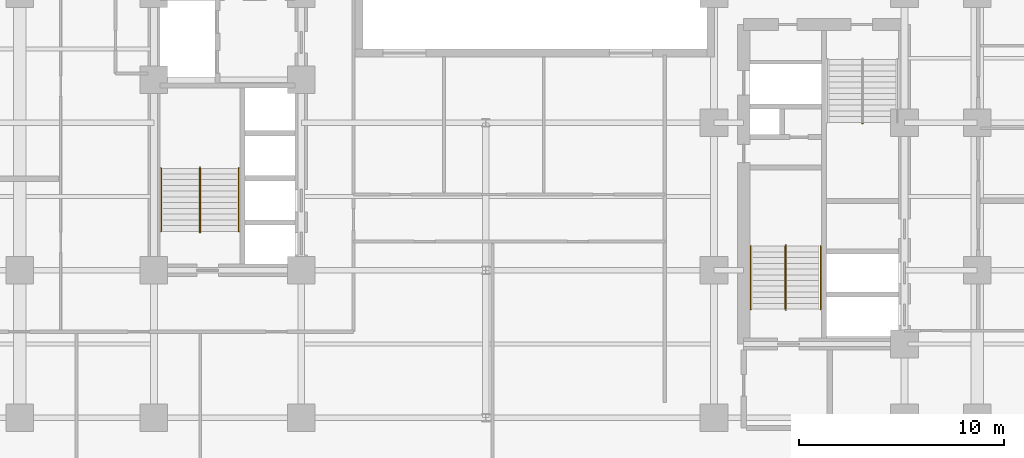
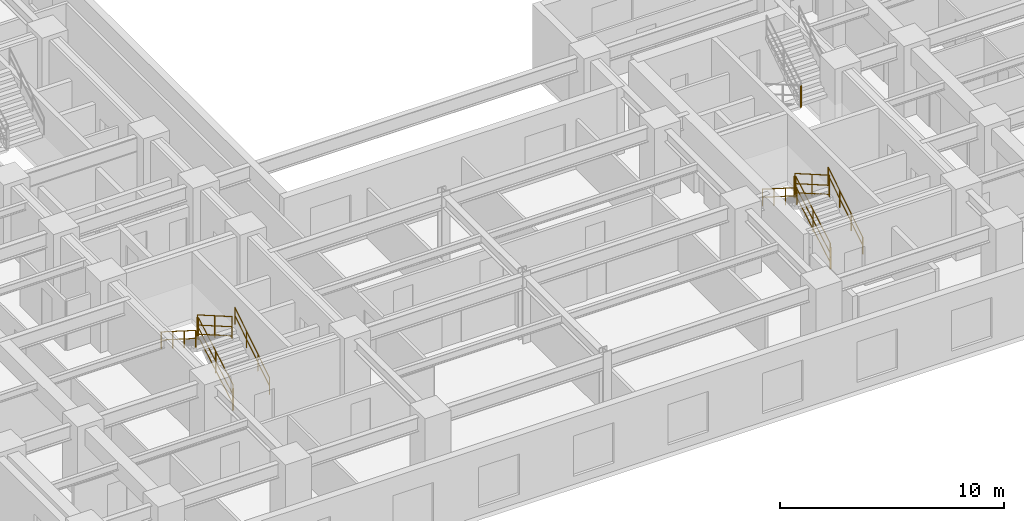
# One storey, part 8 of 10: 13 railings.
"""IFC4 building model written with IfcOpenShell, lengths in metres."""

from ifc_helpers import new_model, entity, si_unit, converted_unit, direction, frame, origin_with_axes, origin_2d_with_axis, place, context, subcontext, project, spatial, rectangle, circle, extrude, material, type_object, element, save


model = new_model("IFC4")

# Units and contexts
model_context = context("Model", 3, precision=1e-05, world=origin_with_axes(), true_north=direction((0.0, 1.0)))
body_context = subcontext(model_context, "Body", "Model", "MODEL_VIEW")
ifc_project = project(units=[si_unit("LENGTHUNIT", "METRE"), si_unit("AREAUNIT", "SQUARE_METRE"), si_unit("VOLUMEUNIT", "CUBIC_METRE"), converted_unit("PLANEANGLEUNIT", "DEGREE", entity("IfcPlaneAngleMeasure", 0.017453292519943295), si_unit("PLANEANGLEUNIT", "RADIAN"), dimensions=[0, 0, 0, 0, 0, 0, 0]), si_unit("MASSUNIT", "GRAM", prefix="KILO"), si_unit("THERMODYNAMICTEMPERATUREUNIT", "KELVIN")], contexts=[model_context])

# Site, building, storey
site_placement = place(None, origin_with_axes())
site = spatial("IfcSite", under=ifc_project, at=site_placement, CompositionType="ELEMENT")
building_placement = place(site_placement, origin_with_axes())
building = spatial("IfcBuilding", under=site, at=building_placement, Name="Varnlund Millrace Tower", CompositionType="ELEMENT")
storey_placement = place(building_placement, frame((0.0, 0.0, 48.3), z_axis=(0.0, 0.0, 1.0), x_axis=(1.0, 0.0, 0.0)))
storey = spatial("IfcBuildingStorey", under=building, at=storey_placement, Name="L11", CompositionType="ELEMENT", Elevation=48.3)

# Railings
ifc_material_1 = material(Name="Painted steel stair well balustrade guard", Category="steel")
railing_type_1 = type_object("IfcRailingType", Name="Type-StairGuard-1150", PredefinedType="GUARDRAIL", material=ifc_material_1)
railing_1_placement = place(storey_placement, frame((0.0, 0.0, -48.3), z_axis=(0.0, 0.0, 1.0), x_axis=(1.0, 0.0, 0.0)))
element("IfcRailing", 1, at=railing_1_placement, inside=storey, type_object=railing_type_1, Name="Type-StairGuard-1150", PredefinedType="GUARDRAIL", context=body_context, shape_type="SweptSolid", body=[
    extrude(circle(Radius=0.024, at=origin_2d_with_axis()), frame((13.675, 12.7, 49.627273), z_axis=(0.0, 0.866696, 0.498836), x_axis=(-1.0, 0.0, 0.0)), (0.0, 0.0, 1.0), 3.553725),
    extrude(circle(Radius=0.024, at=origin_2d_with_axis()), frame((13.675, 12.7, 48.577273), z_axis=(0.0, 0.866696, 0.498836), x_axis=(-1.0, 0.0, 0.0)), (0.0, 0.0, 1.0), 3.553725),
    extrude(circle(Radius=0.024, at=origin_2d_with_axis()), frame((13.675, 12.7, 49.075273), z_axis=(0.0, 0.866696, 0.498836), x_axis=(-1.0, 0.0, 0.0)), (0.0, 0.0, 1.0), 3.553725),
    extrude(rectangle(XDim=0.04, YDim=0.04, at=origin_2d_with_axis()), frame((13.675, 12.7, 48.437273), z_axis=(0.0, 0.0, 1.0), x_axis=(1.0, 0.0, 0.0)), (0.0, 0.0, 1.0), 1.19),
    extrude(rectangle(XDim=0.04, YDim=0.04, at=origin_2d_with_axis()), frame((13.675, 14.24, 49.323636), z_axis=(0.0, 0.0, 1.0), x_axis=(1.0, 0.0, 0.0)), (0.0, 0.0, 1.0), 1.19),
    extrude(rectangle(XDim=0.04, YDim=0.04, at=origin_2d_with_axis()), frame((13.675, 15.78, 50.21), z_axis=(0.0, 0.0, 1.0), x_axis=(1.0, 0.0, 0.0)), (0.0, 0.0, 1.0), 1.19),
])
railing_2_placement = place(storey_placement, frame((0.0, 0.0, -48.3), z_axis=(0.0, 0.0, 1.0), x_axis=(1.0, 0.0, 0.0)))
element("IfcRailing", 2, at=railing_2_placement, inside=storey, type_object=railing_type_1, Name="Type-StairGuard-1150", PredefinedType="GUARDRAIL", context=body_context, shape_type="SweptSolid", body=[
    extrude(circle(Radius=0.024, at=origin_2d_with_axis()), frame((13.625, 15.83, 51.4), z_axis=(1.0, 0.0, 0.0), x_axis=(0.0, 1.0, 0.0)), (0.0, 0.0, 1.0), 0.05),
    extrude(circle(Radius=0.024, at=origin_2d_with_axis()), frame((13.625, 15.83, 50.35), z_axis=(1.0, 0.0, 0.0), x_axis=(0.0, 1.0, 0.0)), (0.0, 0.0, 1.0), 0.05),
    extrude(circle(Radius=0.024, at=origin_2d_with_axis()), frame((13.625, 15.83, 50.848), z_axis=(1.0, 0.0, 0.0), x_axis=(0.0, 1.0, 0.0)), (0.0, 0.0, 1.0), 0.05),
    extrude(rectangle(XDim=0.04, YDim=0.04, at=origin_2d_with_axis()), frame((13.625, 15.83, 50.21), z_axis=(0.0, 0.0, 1.0), x_axis=(1.0, 0.0, 0.0)), (0.0, 0.0, 1.0), 1.19),
    extrude(rectangle(XDim=0.04, YDim=0.04, at=origin_2d_with_axis()), frame((13.675, 15.83, 50.21), z_axis=(0.0, 0.0, 1.0), x_axis=(1.0, 0.0, 0.0)), (0.0, 0.0, 1.0), 1.19),
])
railing_3_placement = place(storey_placement, frame((0.0, 0.0, -48.3), z_axis=(0.0, 0.0, 1.0), x_axis=(1.0, 0.0, 0.0)))
element("IfcRailing", 3, at=railing_3_placement, inside=storey, type_object=railing_type_1, Name="Type-StairGuard-1150", PredefinedType="GUARDRAIL", context=body_context, shape_type="SweptSolid", body=[
    extrude(circle(Radius=0.024, at=origin_2d_with_axis()), frame((13.625, 15.78, 51.577273), z_axis=(0.0, -0.866696, 0.498836), x_axis=(1.0, 0.0, 0.0)), (0.0, 0.0, 1.0), 3.553725),
    extrude(circle(Radius=0.024, at=origin_2d_with_axis()), frame((13.625, 15.78, 50.527273), z_axis=(0.0, -0.866696, 0.498836), x_axis=(1.0, 0.0, 0.0)), (0.0, 0.0, 1.0), 3.553725),
    extrude(circle(Radius=0.024, at=origin_2d_with_axis()), frame((13.625, 15.78, 51.025273), z_axis=(0.0, -0.866696, 0.498836), x_axis=(1.0, 0.0, 0.0)), (0.0, 0.0, 1.0), 3.553725),
    extrude(rectangle(XDim=0.04, YDim=0.04, at=origin_2d_with_axis()), frame((13.625, 15.78, 50.387273), z_axis=(0.0, 0.0, 1.0), x_axis=(1.0, 0.0, 0.0)), (0.0, 0.0, 1.0), 1.19),
    extrude(rectangle(XDim=0.04, YDim=0.04, at=origin_2d_with_axis()), frame((13.625, 14.24, 51.273637), z_axis=(0.0, 0.0, 1.0), x_axis=(1.0, 0.0, 0.0)), (0.0, 0.0, 1.0), 1.19),
    extrude(rectangle(XDim=0.04, YDim=0.04, at=origin_2d_with_axis()), frame((13.625, 12.7, 52.16), z_axis=(0.0, 0.0, 1.0), x_axis=(1.0, 0.0, 0.0)), (0.0, 0.0, 1.0), 1.19),
])
railing_4_placement = place(storey_placement, frame((0.0, 0.0, -48.3), z_axis=(0.0, 0.0, 1.0), x_axis=(1.0, 0.0, 0.0)))
element("IfcRailing", 4, at=railing_4_placement, inside=storey, type_object=railing_type_1, Name="Type-StairGuard-1150", PredefinedType="GUARDRAIL", context=body_context, shape_type="SweptSolid", body=[
    extrude(circle(Radius=0.024, at=origin_2d_with_axis()), frame((13.625, 12.65, 49.45), z_axis=(1.0, 0.0, 0.0), x_axis=(0.0, 1.0, 0.0)), (0.0, 0.0, 1.0), 0.05),
    extrude(circle(Radius=0.024, at=origin_2d_with_axis()), frame((13.625, 12.65, 48.4), z_axis=(1.0, 0.0, 0.0), x_axis=(0.0, 1.0, 0.0)), (0.0, 0.0, 1.0), 0.05),
    extrude(circle(Radius=0.024, at=origin_2d_with_axis()), frame((13.625, 12.65, 48.898), z_axis=(1.0, 0.0, 0.0), x_axis=(0.0, 1.0, 0.0)), (0.0, 0.0, 1.0), 0.05),
    extrude(rectangle(XDim=0.04, YDim=0.04, at=origin_2d_with_axis()), frame((13.625, 12.65, 48.26), z_axis=(0.0, 0.0, 1.0), x_axis=(1.0, 0.0, 0.0)), (0.0, 0.0, 1.0), 1.19),
    extrude(rectangle(XDim=0.04, YDim=0.04, at=origin_2d_with_axis()), frame((13.675, 12.65, 48.26), z_axis=(0.0, 0.0, 1.0), x_axis=(1.0, 0.0, 0.0)), (0.0, 0.0, 1.0), 1.19),
])
railing_5_placement = place(storey_placement, frame((0.0, 0.0, -48.3), z_axis=(0.0, 0.0, 1.0), x_axis=(1.0, 0.0, 0.0)))
element("IfcRailing", 5, at=railing_5_placement, inside=storey, type_object=railing_type_1, Name="Type-StairGuard-1150", PredefinedType="GUARDRAIL", context=body_context, shape_type="SweptSolid", body=[
    extrude(circle(Radius=0.024, at=origin_2d_with_axis()), frame((42.275, 8.9, 49.627273), z_axis=(0.0, 0.866696, 0.498836), x_axis=(-1.0, 0.0, 0.0)), (0.0, 0.0, 1.0), 3.553725),
    extrude(circle(Radius=0.024, at=origin_2d_with_axis()), frame((42.275, 8.9, 48.577273), z_axis=(0.0, 0.866696, 0.498836), x_axis=(-1.0, 0.0, 0.0)), (0.0, 0.0, 1.0), 3.553725),
    extrude(circle(Radius=0.024, at=origin_2d_with_axis()), frame((42.275, 8.9, 49.075273), z_axis=(0.0, 0.866696, 0.498836), x_axis=(-1.0, 0.0, 0.0)), (0.0, 0.0, 1.0), 3.553725),
    extrude(rectangle(XDim=0.04, YDim=0.04, at=origin_2d_with_axis()), frame((42.275, 8.9, 48.437273), z_axis=(0.0, 0.0, 1.0), x_axis=(1.0, 0.0, 0.0)), (0.0, 0.0, 1.0), 1.19),
    extrude(rectangle(XDim=0.04, YDim=0.04, at=origin_2d_with_axis()), frame((42.275, 10.44, 49.323636), z_axis=(0.0, 0.0, 1.0), x_axis=(1.0, 0.0, 0.0)), (0.0, 0.0, 1.0), 1.19),
    extrude(rectangle(XDim=0.04, YDim=0.04, at=origin_2d_with_axis()), frame((42.275, 11.98, 50.21), z_axis=(0.0, 0.0, 1.0), x_axis=(1.0, 0.0, 0.0)), (0.0, 0.0, 1.0), 1.19),
])
railing_6_placement = place(storey_placement, frame((0.0, 0.0, -48.3), z_axis=(0.0, 0.0, 1.0), x_axis=(1.0, 0.0, 0.0)))
element("IfcRailing", 6, at=railing_6_placement, inside=storey, type_object=railing_type_1, Name="Type-StairGuard-1150", PredefinedType="GUARDRAIL", context=body_context, shape_type="SweptSolid", body=[
    extrude(circle(Radius=0.024, at=origin_2d_with_axis()), frame((42.225, 12.03, 51.4), z_axis=(1.0, 0.0, 0.0), x_axis=(0.0, 1.0, 0.0)), (0.0, 0.0, 1.0), 0.05),
    extrude(circle(Radius=0.024, at=origin_2d_with_axis()), frame((42.225, 12.03, 50.35), z_axis=(1.0, 0.0, 0.0), x_axis=(0.0, 1.0, 0.0)), (0.0, 0.0, 1.0), 0.05),
    extrude(circle(Radius=0.024, at=origin_2d_with_axis()), frame((42.225, 12.03, 50.848), z_axis=(1.0, 0.0, 0.0), x_axis=(0.0, 1.0, 0.0)), (0.0, 0.0, 1.0), 0.05),
    extrude(rectangle(XDim=0.04, YDim=0.04, at=origin_2d_with_axis()), frame((42.225, 12.03, 50.21), z_axis=(0.0, 0.0, 1.0), x_axis=(1.0, 0.0, 0.0)), (0.0, 0.0, 1.0), 1.19),
    extrude(rectangle(XDim=0.04, YDim=0.04, at=origin_2d_with_axis()), frame((42.275, 12.03, 50.21), z_axis=(0.0, 0.0, 1.0), x_axis=(1.0, 0.0, 0.0)), (0.0, 0.0, 1.0), 1.19),
])
railing_7_placement = place(storey_placement, frame((0.0, 0.0, -48.3), z_axis=(0.0, 0.0, 1.0), x_axis=(1.0, 0.0, 0.0)))
element("IfcRailing", 7, at=railing_7_placement, inside=storey, type_object=railing_type_1, Name="Type-StairGuard-1150", PredefinedType="GUARDRAIL", context=body_context, shape_type="SweptSolid", body=[
    extrude(circle(Radius=0.024, at=origin_2d_with_axis()), frame((42.225, 11.98, 51.577273), z_axis=(0.0, -0.866696, 0.498836), x_axis=(1.0, 0.0, 0.0)), (0.0, 0.0, 1.0), 3.553725),
    extrude(circle(Radius=0.024, at=origin_2d_with_axis()), frame((42.225, 11.98, 50.527273), z_axis=(0.0, -0.866696, 0.498836), x_axis=(1.0, 0.0, 0.0)), (0.0, 0.0, 1.0), 3.553725),
    extrude(circle(Radius=0.024, at=origin_2d_with_axis()), frame((42.225, 11.98, 51.025273), z_axis=(0.0, -0.866696, 0.498836), x_axis=(1.0, 0.0, 0.0)), (0.0, 0.0, 1.0), 3.553725),
    extrude(rectangle(XDim=0.04, YDim=0.04, at=origin_2d_with_axis()), frame((42.225, 11.98, 50.387273), z_axis=(0.0, 0.0, 1.0), x_axis=(1.0, 0.0, 0.0)), (0.0, 0.0, 1.0), 1.19),
    extrude(rectangle(XDim=0.04, YDim=0.04, at=origin_2d_with_axis()), frame((42.225, 10.44, 51.273637), z_axis=(0.0, 0.0, 1.0), x_axis=(1.0, 0.0, 0.0)), (0.0, 0.0, 1.0), 1.19),
    extrude(rectangle(XDim=0.04, YDim=0.04, at=origin_2d_with_axis()), frame((42.225, 8.9, 52.16), z_axis=(0.0, 0.0, 1.0), x_axis=(1.0, 0.0, 0.0)), (0.0, 0.0, 1.0), 1.19),
])
railing_8_placement = place(storey_placement, frame((0.0, 0.0, -48.3), z_axis=(0.0, 0.0, 1.0), x_axis=(1.0, 0.0, 0.0)))
element("IfcRailing", 8, at=railing_8_placement, inside=storey, type_object=railing_type_1, Name="Type-StairGuard-1150", PredefinedType="GUARDRAIL", context=body_context, shape_type="SweptSolid", body=[
    extrude(circle(Radius=0.024, at=origin_2d_with_axis()), frame((42.225, 8.85, 49.45), z_axis=(1.0, 0.0, 0.0), x_axis=(0.0, 1.0, 0.0)), (0.0, 0.0, 1.0), 0.05),
    extrude(circle(Radius=0.024, at=origin_2d_with_axis()), frame((42.225, 8.85, 48.4), z_axis=(1.0, 0.0, 0.0), x_axis=(0.0, 1.0, 0.0)), (0.0, 0.0, 1.0), 0.05),
    extrude(circle(Radius=0.024, at=origin_2d_with_axis()), frame((42.225, 8.85, 48.898), z_axis=(1.0, 0.0, 0.0), x_axis=(0.0, 1.0, 0.0)), (0.0, 0.0, 1.0), 0.05),
    extrude(rectangle(XDim=0.04, YDim=0.04, at=origin_2d_with_axis()), frame((42.225, 8.85, 48.26), z_axis=(0.0, 0.0, 1.0), x_axis=(1.0, 0.0, 0.0)), (0.0, 0.0, 1.0), 1.19),
    extrude(rectangle(XDim=0.04, YDim=0.04, at=origin_2d_with_axis()), frame((42.275, 8.85, 48.26), z_axis=(0.0, 0.0, 1.0), x_axis=(1.0, 0.0, 0.0)), (0.0, 0.0, 1.0), 1.19),
])
railing_9_placement = place(storey_placement, frame((0.0, 0.0, -48.3), z_axis=(0.0, 0.0, 1.0), x_axis=(1.0, 0.0, 0.0)))
element("IfcRailing", 9, at=railing_9_placement, inside=storey, type_object=railing_type_1, Name="Type-StairGuard-1150", PredefinedType="GUARDRAIL", context=body_context, shape_type="SweptSolid", body=[
    extrude(circle(Radius=0.024, at=origin_2d_with_axis()), frame((46.025, 17.97, 51.4), z_axis=(-1.0, 0.0, 0.0), x_axis=(0.0, -1.0, 0.0)), (0.0, 0.0, 1.0), 0.05),
    extrude(circle(Radius=0.024, at=origin_2d_with_axis()), frame((46.025, 17.97, 50.35), z_axis=(-1.0, 0.0, 0.0), x_axis=(0.0, -1.0, 0.0)), (0.0, 0.0, 1.0), 0.05),
    extrude(circle(Radius=0.024, at=origin_2d_with_axis()), frame((46.025, 17.97, 50.848), z_axis=(-1.0, 0.0, 0.0), x_axis=(0.0, -1.0, 0.0)), (0.0, 0.0, 1.0), 0.05),
    extrude(rectangle(XDim=0.04, YDim=0.04, at=origin_2d_with_axis()), frame((46.025, 17.97, 50.21), z_axis=(0.0, 0.0, 1.0), x_axis=(1.0, 0.0, 0.0)), (0.0, 0.0, 1.0), 1.19),
    extrude(rectangle(XDim=0.04, YDim=0.04, at=origin_2d_with_axis()), frame((45.975, 17.97, 50.21), z_axis=(0.0, 0.0, 1.0), x_axis=(1.0, 0.0, 0.0)), (0.0, 0.0, 1.0), 1.19),
])
ifc_material_2 = material(Name="Brushed architectural bronze stair handrail", Category="aluminium")
railing_type_2 = type_object("IfcRailingType", Name="Type-StairHandrail-900", PredefinedType="HANDRAIL", material=ifc_material_2)
railing_10_placement = place(storey_placement, frame((0.0, 0.0, -48.3), z_axis=(0.0, 0.0, 1.0), x_axis=(1.0, 0.0, 0.0)))
element("IfcRailing", 10, at=railing_10_placement, inside=storey, type_object=railing_type_2, Name="Type-StairHandrail-900", PredefinedType="HANDRAIL", context=body_context, shape_type="SweptSolid", body=[
    extrude(circle(Radius=0.024, at=origin_2d_with_axis()), frame((15.55, 12.7, 49.356995), z_axis=(0.0, 0.844902, 0.534922), x_axis=(-1.0, 0.0, 0.0)), (0.0, 0.0, 1.0), 3.645394),
    extrude(circle(Radius=0.024, at=origin_2d_with_axis()), frame((15.55, 12.7, 48.917134), z_axis=(0.0, 0.844902, 0.534922), x_axis=(-1.0, 0.0, 0.0)), (0.0, 0.0, 1.0), 3.645394),
    extrude(rectangle(XDim=0.04, YDim=0.04, at=origin_2d_with_axis()), frame((15.55, 12.7, 48.437273), z_axis=(0.0, 0.0, 1.0), x_axis=(1.0, 0.0, 0.0)), (0.0, 0.0, 1.0), 0.919722),
    extrude(rectangle(XDim=0.04, YDim=0.04, at=origin_2d_with_axis()), frame((15.55, 13.726667, 49.087273), z_axis=(0.0, 0.0, 1.0), x_axis=(1.0, 0.0, 0.0)), (0.0, 0.0, 1.0), 0.919722),
    extrude(rectangle(XDim=0.04, YDim=0.04, at=origin_2d_with_axis()), frame((15.55, 14.753333, 49.737273), z_axis=(0.0, 0.0, 1.0), x_axis=(1.0, 0.0, 0.0)), (0.0, 0.0, 1.0), 0.919722),
    extrude(rectangle(XDim=0.04, YDim=0.04, at=origin_2d_with_axis()), frame((15.55, 15.78, 50.387273), z_axis=(0.0, 0.0, 1.0), x_axis=(1.0, 0.0, 0.0)), (0.0, 0.0, 1.0), 0.919722),
])
railing_11_placement = place(storey_placement, frame((0.0, 0.0, -48.3), z_axis=(0.0, 0.0, 1.0), x_axis=(1.0, 0.0, 0.0)))
element("IfcRailing", 11, at=railing_11_placement, inside=storey, type_object=railing_type_2, Name="Type-StairHandrail-900", PredefinedType="HANDRAIL", context=body_context, shape_type="SweptSolid", body=[
    extrude(circle(Radius=0.024, at=origin_2d_with_axis()), frame((11.75, 15.78, 51.306995), z_axis=(0.0, -0.844902, 0.534922), x_axis=(1.0, 0.0, 0.0)), (0.0, 0.0, 1.0), 3.645394),
    extrude(circle(Radius=0.024, at=origin_2d_with_axis()), frame((11.75, 15.78, 50.867134), z_axis=(0.0, -0.844902, 0.534922), x_axis=(1.0, 0.0, 0.0)), (0.0, 0.0, 1.0), 3.645394),
    extrude(rectangle(XDim=0.04, YDim=0.04, at=origin_2d_with_axis()), frame((11.75, 15.78, 50.387273), z_axis=(0.0, 0.0, 1.0), x_axis=(1.0, 0.0, 0.0)), (0.0, 0.0, 1.0), 0.919722),
    extrude(rectangle(XDim=0.04, YDim=0.04, at=origin_2d_with_axis()), frame((11.75, 14.753333, 51.037273), z_axis=(0.0, 0.0, 1.0), x_axis=(1.0, 0.0, 0.0)), (0.0, 0.0, 1.0), 0.919722),
    extrude(rectangle(XDim=0.04, YDim=0.04, at=origin_2d_with_axis()), frame((11.75, 13.726667, 51.687273), z_axis=(0.0, 0.0, 1.0), x_axis=(1.0, 0.0, 0.0)), (0.0, 0.0, 1.0), 0.919722),
    extrude(rectangle(XDim=0.04, YDim=0.04, at=origin_2d_with_axis()), frame((11.75, 12.7, 52.337273), z_axis=(0.0, 0.0, 1.0), x_axis=(1.0, 0.0, 0.0)), (0.0, 0.0, 1.0), 0.919722),
])
railing_12_placement = place(storey_placement, frame((0.0, 0.0, -48.3), z_axis=(0.0, 0.0, 1.0), x_axis=(1.0, 0.0, 0.0)))
element("IfcRailing", 12, at=railing_12_placement, inside=storey, type_object=railing_type_2, Name="Type-StairHandrail-900", PredefinedType="HANDRAIL", context=body_context, shape_type="SweptSolid", body=[
    extrude(circle(Radius=0.024, at=origin_2d_with_axis()), frame((43.95, 8.9, 49.356995), z_axis=(0.0, 0.844902, 0.534922), x_axis=(-1.0, 0.0, 0.0)), (0.0, 0.0, 1.0), 3.645394),
    extrude(circle(Radius=0.024, at=origin_2d_with_axis()), frame((43.95, 8.9, 48.917134), z_axis=(0.0, 0.844902, 0.534922), x_axis=(-1.0, 0.0, 0.0)), (0.0, 0.0, 1.0), 3.645394),
    extrude(rectangle(XDim=0.04, YDim=0.04, at=origin_2d_with_axis()), frame((43.95, 8.9, 48.437273), z_axis=(0.0, 0.0, 1.0), x_axis=(1.0, 0.0, 0.0)), (0.0, 0.0, 1.0), 0.919722),
    extrude(rectangle(XDim=0.04, YDim=0.04, at=origin_2d_with_axis()), frame((43.95, 9.926667, 49.087273), z_axis=(0.0, 0.0, 1.0), x_axis=(1.0, 0.0, 0.0)), (0.0, 0.0, 1.0), 0.919722),
    extrude(rectangle(XDim=0.04, YDim=0.04, at=origin_2d_with_axis()), frame((43.95, 10.953333, 49.737273), z_axis=(0.0, 0.0, 1.0), x_axis=(1.0, 0.0, 0.0)), (0.0, 0.0, 1.0), 0.919722),
    extrude(rectangle(XDim=0.04, YDim=0.04, at=origin_2d_with_axis()), frame((43.95, 11.98, 50.387273), z_axis=(0.0, 0.0, 1.0), x_axis=(1.0, 0.0, 0.0)), (0.0, 0.0, 1.0), 0.919722),
])
railing_13_placement = place(storey_placement, frame((0.0, 0.0, -48.3), z_axis=(0.0, 0.0, 1.0), x_axis=(1.0, 0.0, 0.0)))
element("IfcRailing", 13, at=railing_13_placement, inside=storey, type_object=railing_type_2, Name="Type-StairHandrail-900", PredefinedType="HANDRAIL", context=body_context, shape_type="SweptSolid", body=[
    extrude(circle(Radius=0.024, at=origin_2d_with_axis()), frame((40.55, 11.98, 51.306995), z_axis=(0.0, -0.844902, 0.534922), x_axis=(1.0, 0.0, 0.0)), (0.0, 0.0, 1.0), 3.645394),
    extrude(circle(Radius=0.024, at=origin_2d_with_axis()), frame((40.55, 11.98, 50.867134), z_axis=(0.0, -0.844902, 0.534922), x_axis=(1.0, 0.0, 0.0)), (0.0, 0.0, 1.0), 3.645394),
    extrude(rectangle(XDim=0.04, YDim=0.04, at=origin_2d_with_axis()), frame((40.55, 11.98, 50.387273), z_axis=(0.0, 0.0, 1.0), x_axis=(1.0, 0.0, 0.0)), (0.0, 0.0, 1.0), 0.919722),
    extrude(rectangle(XDim=0.04, YDim=0.04, at=origin_2d_with_axis()), frame((40.55, 10.953333, 51.037273), z_axis=(0.0, 0.0, 1.0), x_axis=(1.0, 0.0, 0.0)), (0.0, 0.0, 1.0), 0.919722),
    extrude(rectangle(XDim=0.04, YDim=0.04, at=origin_2d_with_axis()), frame((40.55, 9.926667, 51.687273), z_axis=(0.0, 0.0, 1.0), x_axis=(1.0, 0.0, 0.0)), (0.0, 0.0, 1.0), 0.919722),
    extrude(rectangle(XDim=0.04, YDim=0.04, at=origin_2d_with_axis()), frame((40.55, 8.9, 52.337273), z_axis=(0.0, 0.0, 1.0), x_axis=(1.0, 0.0, 0.0)), (0.0, 0.0, 1.0), 0.919722),
])

save(model, "model.ifc")
